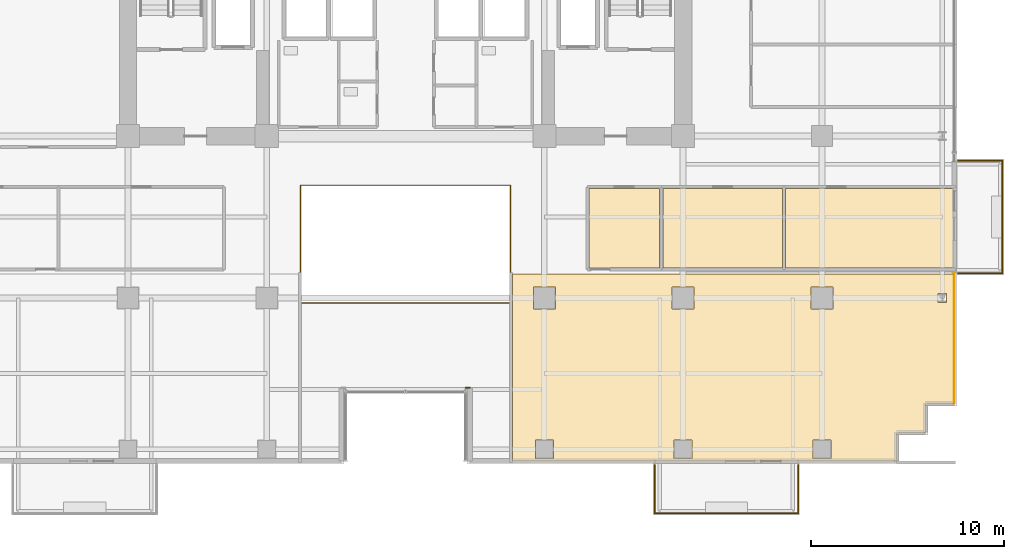
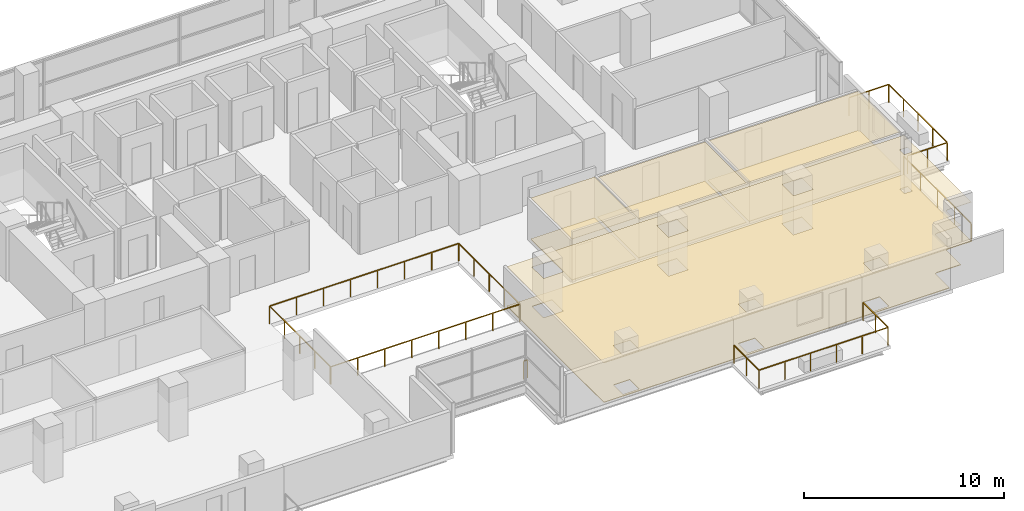
# One storey, part 28 of 30: 8 coverings, 5 railings.
"""IFC4 building model written with IfcOpenShell, lengths in metres."""

import ifcopenshell
import ifcopenshell.guid

model = None  # the IFC model being written
_history = None  # IfcOwnerHistory: only IFC2X3 demands one
_inside = {}  # id of a spatial element -> (the spatial element, [elements in it])
_under = {}  # id of a project, library or spatial element -> (it, [spatial elements below it])
_declared = {}  # id of a project -> (the project, [libraries it declares])
_typed = {}  # id of a type object -> (the type object, [elements of that type])
_made_of = {}  # id of a material, layer set ... -> (it, [elements and type objects made of it])


def new_model(schema):
    """Start an empty IFC model of exactly this schema.

    Asked for "IFC4X3", IfcOpenShell would pick the latest addendum, in which some entities
    have other attributes; the version numbers below select the first issue.
    IFC2X3 requires an IfcOwnerHistory on every rooted entity: one is made here for all.
    """
    global model, _history
    if schema == "IFC4X3":
        model = ifcopenshell.file(schema_version=(4, 3, 0, 0))
    else:
        model = ifcopenshell.file(schema=schema)
    _inside.clear()
    _under.clear()
    _declared.clear()
    _typed.clear()
    _made_of.clear()
    _history = None
    if model.schema == "IFC2X3":
        org = make("IfcOrganization", Name="unknown")
        user = make(
            "IfcPersonAndOrganization",
            ThePerson=make("IfcPerson", FamilyName="unknown"),
            TheOrganization=org,
        )
        app = make(
            "IfcApplication",
            ApplicationDeveloper=org,
            Version="unknown",
            ApplicationFullName="unknown",
            ApplicationIdentifier="unknown",
        )
        _history = make(
            "IfcOwnerHistory",
            OwningUser=user,
            OwningApplication=app,
            ChangeAction="ADDED",
            CreationDate=0,
        )
    return model


def make(cls, **values):
    """One entity of the class cls with the attributes given. An attribute that is None is left unset."""
    return model.create_entity(
        cls, **{name: value for name, value in values.items() if value is not None}
    )


def rooted(cls, **values):
    """An entity with a GlobalId (a new one), such as an element, a storey or a relation."""
    return make(cls, GlobalId=ifcopenshell.guid.new(), OwnerHistory=_history, **values)


def si_unit(unit_type, name, prefix=None):
    """IfcSIUnit, for example si_unit("LENGTHUNIT", "METRE", prefix="MILLI")."""
    return make("IfcSIUnit", UnitType=unit_type, Prefix=prefix, Name=name)


def assignment(units):
    """IfcUnitAssignment: the units of a project."""
    return None if units is None else make("IfcUnitAssignment", Units=units)


def point(xyz):
    """IfcCartesianPoint."""
    return None if xyz is None else make("IfcCartesianPoint", Coordinates=xyz)


def direction(xyz):
    """IfcDirection."""
    return None if xyz is None else make("IfcDirection", DirectionRatios=xyz)


def frame(location, z_axis=None, x_axis=None):
    """IfcAxis2Placement3D, a coordinate frame: its origin and axes. An axis left out is left unset."""
    return make(
        "IfcAxis2Placement3D",
        Location=point(location),
        Axis=direction(z_axis),
        RefDirection=direction(x_axis),
    )


def frame_2d(location, x_axis=None):
    """IfcAxis2Placement2D, a coordinate frame in the plane: its origin and x axis."""
    return make(
        "IfcAxis2Placement2D", Location=point(location), RefDirection=direction(x_axis)
    )


def origin():
    """The frame at (0, 0, 0) with its axes left unset."""
    return frame((0.0, 0.0, 0.0))


def origin_2d():
    """The frame at (0, 0) in the plane with its x axis left unset."""
    return frame_2d((0.0, 0.0))


def place(relative_to, where):
    """IfcLocalPlacement: puts the frame where relative to a parent placement (None: the world)."""
    return make(
        "IfcLocalPlacement", PlacementRelTo=relative_to, RelativePlacement=where
    )


def context(
    kind, dimensions, precision=None, world=None, true_north=None, identifier=None
):
    """IfcGeometricRepresentationContext, for example the 3D "Model" context."""
    return make(
        "IfcGeometricRepresentationContext",
        ContextIdentifier=identifier,
        ContextType=kind,
        CoordinateSpaceDimension=dimensions,
        Precision=precision,
        WorldCoordinateSystem=world,
        TrueNorth=true_north,
    )


def subcontext(parent, identifier, kind, view, scale=None):
    """IfcGeometricRepresentationSubContext, for example "Body" below "Model"."""
    return make(
        "IfcGeometricRepresentationSubContext",
        ContextIdentifier=identifier,
        ContextType=kind,
        ParentContext=parent,
        TargetScale=scale,
        TargetView=view,
    )


def project(units=None, contexts=None):
    """IfcProject with its units and contexts."""
    return rooted(
        "IfcProject",
        Name="project",
        RepresentationContexts=contexts,
        UnitsInContext=assignment(units),
    )


def spatial(cls, under=None, at=None, **own):
    """A site, building, storey or space (cls), placed at a placement, below another one or the project."""
    s = rooted(cls, ObjectPlacement=at, **own)
    if under is not None:
        _under.setdefault(under.id(), (under, []))[1].append(s)
    return s


def polyline(points):
    """IfcPolyline through the points."""
    return make("IfcPolyline", Points=[point(p) for p in points])


def profile(cls, at=None, kind="AREA", **sizes):
    """A parametric profile (cls). Its sizes go by their IFC names, for example OverallWidth=200.0."""
    return make(cls, ProfileType=kind, Position=at, **sizes)


def rectangle(**sizes):
    """IfcRectangleProfileDef."""
    return profile("IfcRectangleProfileDef", **sizes)


def outline(outer, holes=None, kind="AREA"):
    """IfcArbitraryClosedProfileDef: a profile drawn as a closed curve; with holes, ...WithVoids."""
    if holes is None:
        return make("IfcArbitraryClosedProfileDef", ProfileType=kind, OuterCurve=outer)
    return make(
        "IfcArbitraryProfileDefWithVoids",
        ProfileType=kind,
        OuterCurve=outer,
        InnerCurves=holes,
    )


def extrude(swept, where, along, depth):
    """IfcExtrudedAreaSolid: the profile swept, set in the frame where, extruded along a direction by depth."""
    return make(
        "IfcExtrudedAreaSolid",
        SweptArea=swept,
        Position=where,
        ExtrudedDirection=direction(along),
        Depth=depth,
    )


def shape(context_of_items, identifier, shape_type, items):
    """IfcShapeRepresentation: the items that make up one representation, for example the "Body"."""
    return make(
        "IfcShapeRepresentation",
        ContextOfItems=context_of_items,
        RepresentationIdentifier=identifier,
        RepresentationType=shape_type,
        Items=items,
    )


def material(Name=None, Category=None):
    """IfcMaterial."""
    return make("IfcMaterial", Name=Name, Category=Category)


def layer(
    of_material, thickness, ventilated=None, Name=None, Category=None, Priority=None
):
    """IfcMaterialLayer: one layer of a wall or slab, of a material (None: an air gap)."""
    return make(
        "IfcMaterialLayer",
        Material=of_material,
        LayerThickness=thickness,
        IsVentilated=ventilated,
        Name=Name,
        Category=Category,
        Priority=Priority,
    )


def layer_set(layers, Name=None):
    """IfcMaterialLayerSet."""
    return make("IfcMaterialLayerSet", MaterialLayers=layers, LayerSetName=Name)


def made_of(thing, what):
    """Note that an element or type object is made of a material, layer set ...; save() writes the relation."""
    if what is not None:
        _made_of.setdefault(what.id(), (what, []))[1].append(thing)
    return thing


def type_object(cls, material=None, **own):
    """A type object (cls), such as IfcWallType, which elements share."""
    return made_of(rooted(cls, **own), material)


def element(
    cls,
    number,
    at=None,
    inside=None,
    cuts=None,
    type_object=None,
    material=None,
    context=None,
    identifier="Body",
    shape_type=None,
    held_by="IfcProductDefinitionShape",
    body=None,
    shapes=None,
    **own,
):
    """One element of the class cls, such as IfcWall. Its Tag is "e" and its number.

    at: its placement. inside: the storey or other place that contains it. cuts: it is an
    opening in that element (IfcRelVoidsElement). A single representation is given by context,
    identifier, shape_type and body (its items); several are given by shapes. held_by: the class
    of the entity that holds the representations. save() writes the other relations.
    """
    e = rooted(cls, Tag="e%d" % number, ObjectPlacement=at, **own)
    if body is not None:
        shapes = [shape(context, identifier, shape_type, body)]
    if shapes is not None:
        e.Representation = make(held_by, Representations=shapes)
    if inside is not None:
        _inside.setdefault(inside.id(), (inside, []))[1].append(e)
    if cuts is not None:
        rooted(
            "IfcRelVoidsElement", RelatingBuildingElement=cuts, RelatedOpeningElement=e
        )
    if type_object is not None:
        _typed.setdefault(type_object.id(), (type_object, []))[1].append(e)
    return made_of(e, material)


def aggregate(whole, parts):
    """IfcRelAggregates: a whole, such as a stair, and the parts it consists of."""
    return rooted("IfcRelAggregates", RelatingObject=whole, RelatedObjects=parts)


def save(model, path):
    """Write the relations noted so far, then the file.

    IfcRelAggregates (storeys below a building ...), IfcRelContainedInSpatialStructure (elements
    in a storey), IfcRelDefinesByType, IfcRelAssociatesMaterial and IfcRelDeclares: one each for
    every whole, place, type object, material and project.
    """
    for whole, parts in _under.values():
        aggregate(whole, parts)
    for where, things in _inside.values():
        rooted(
            "IfcRelContainedInSpatialStructure",
            RelatedElements=things,
            RelatingStructure=where,
        )
    for kind, things in _typed.values():
        rooted("IfcRelDefinesByType", RelatedObjects=things, RelatingType=kind)
    for what, things in _made_of.values():
        rooted("IfcRelAssociatesMaterial", RelatedObjects=things, RelatingMaterial=what)
    for by, libraries in _declared.values():
        rooted("IfcRelDeclares", RelatingContext=by, RelatedDefinitions=libraries)
    model.write(path)


model = new_model("IFC4")

# Units and contexts
model_context = context("Model", 3, precision=1e-05, world=origin(), true_north=direction((0.0, 1.0)))
body_context = subcontext(model_context, "Body", "Model", "MODEL_VIEW")
ifc_project = project(units=[si_unit("LENGTHUNIT", "METRE"), si_unit("AREAUNIT", "SQUARE_METRE"), si_unit("VOLUMEUNIT", "CUBIC_METRE"), si_unit("PLANEANGLEUNIT", "RADIAN"), si_unit("MASSUNIT", "GRAM", prefix="KILO")], contexts=[model_context])

# Site, building, storey
site_placement = place(None, origin())
site = spatial("IfcSite", under=ifc_project, at=site_placement, CompositionType="ELEMENT")
building_placement = place(site_placement, origin())
building = spatial("IfcBuilding", under=site, at=building_placement, Name="Zarnakvel Exchange Tower", CompositionType="ELEMENT")
storey_placement = place(building_placement, frame((0.0, 0.0, 50.5)))
storey = spatial("IfcBuildingStorey", under=building, at=storey_placement, Name="L13", CompositionType="ELEMENT", Elevation=50.5)

# Coverings
ifc_material_1 = material(Name="Perforated Bronze Acoustic Metal Ceiling", Category="aluminium")
ifc_layer_1 = layer(ifc_material_1, 0.02001953125)
ifc_layer_set_1 = layer_set([ifc_layer_1], Name="Perforated Bronze Acoustic Metal Ceiling")
covering_type_1 = type_object("IfcCoveringType", Name="CLG-01", PredefinedType="CEILING", material=ifc_layer_set_1)
covering_1_placement = place(storey_placement, frame((0.0, 0.0, 2.5048828125)))
element("IfcCovering", 1, at=covering_1_placement, inside=storey, type_object=covering_type_1, Name="L13 Suspended Acoustic Ceiling (Conference Room)", PredefinedType="CEILING", context=body_context, shape_type="SweptSolid", body=[
    extrude(outline(polyline([(9.510009765625, -3.909912109375), (13.18798828125, -3.909912109375), (13.18798828125, -8.0400390625), (9.510009765625, -8.0400390625), (9.510009765625, -3.909912109375)])), origin(), (0.0, 0.0, 1.0), 0.02001953125),
])
covering_2_placement = place(storey_placement, frame((0.0, 0.0, 2.405029296875)))
element("IfcCovering", 2, at=covering_2_placement, inside=storey, type_object=covering_type_1, Name="L13 Suspended Acoustic Ceiling (Executive Suite)", PredefinedType="CEILING", context=body_context, shape_type="SweptSolid", body=[
    extrude(outline(polyline([(13.347900390625, -3.909912109375), (19.5546875, -3.909912109375), (19.5546875, -8.0400390625), (13.347900390625, -8.0400390625), (13.347900390625, -3.909912109375)])), origin(), (0.0, 0.0, 1.0), 0.02001953125),
])
covering_3_placement = place(storey_placement, frame((0.0, 0.0, 2.405029296875)))
element("IfcCovering", 3, at=covering_3_placement, inside=storey, type_object=covering_type_1, Name="L13 Suspended Acoustic Ceiling (Staff Pantry)", PredefinedType="CEILING", context=body_context, shape_type="SweptSolid", body=[
    extrude(outline(polyline([(19.714599609375, -3.909912109375), (28.449951171875, -3.909912109375), (28.449951171875, -8.0400390625), (19.714599609375, -8.0400390625), (19.714599609375, -3.909912109375)])), origin(), (0.0, 0.0, 1.0), 0.02001953125),
])
covering_4_placement = place(storey_placement, frame((0.0, 0.0, 2.405029296875)))
element("IfcCovering", 4, at=covering_4_placement, inside=storey, type_object=covering_type_1, Name="L13 Suspended Acoustic Ceiling (Quant Research Office)", PredefinedType="CEILING", context=body_context, shape_type="SweptSolid", body=[
    extrude(outline(polyline([(5.56005859375, -8.360107421875), (28.449951171875, -8.360107421875), (28.449951171875, -15.080078125), (27.10009765625, -15.080078125), (27.088134765625, -15.08056640625), (27.07666015625, -15.082275390625), (27.065185546875, -15.085205078125), (27.05419921875, -15.089111328125), (27.04345703125, -15.09423828125), (27.033447265625, -15.100341796875), (27.02392578125, -15.107177734375), (27.01513671875, -15.115234375), (27.00732421875, -15.123779296875), (27.000244140625, -15.13330078125), (26.994140625, -15.143310546875), (26.989013671875, -15.154052734375), (26.985107421875, -15.165283203125), (26.982421875, -15.176513671875), (26.98046875, -15.188232421875), (26.97998046875, -15.199951171875), (26.97998046875, -16.580078125), (25.60009765625, -16.580078125), (25.588134765625, -16.58056640625), (25.57666015625, -16.582275390625), (25.565185546875, -16.585205078125), (25.55419921875, -16.589111328125), (25.54345703125, -16.59423828125), (25.533447265625, -16.600341796875), (25.52392578125, -16.607177734375), (25.51513671875, -16.615234375), (25.50732421875, -16.623779296875), (25.500244140625, -16.63330078125), (25.494140625, -16.643310546875), (25.489013671875, -16.654052734375), (25.485107421875, -16.665283203125), (25.482421875, -16.676513671875), (25.48046875, -16.688232421875), (25.47998046875, -16.699951171875), (25.47998046875, -18.050048828125), (5.56005859375, -18.050048828125), (5.56005859375, -8.360107421875)]), holes=[polyline([(28.075927734375, -9.83251953125), (28.075927734375, -9.367431640625), (27.6240234375, -9.367431640625), (27.6240234375, -9.83251953125), (28.075927734375, -9.83251953125)]), polyline([(22.169921875, -10.169921875), (22.169921875, -9.030029296875), (21.030029296875, -9.030029296875), (21.030029296875, -10.169921875), (22.169921875, -10.169921875)]), polyline([(22.070068359375, -17.919921875), (22.070068359375, -16.97998046875), (21.1298828125, -16.97998046875), (21.1298828125, -17.919921875), (22.070068359375, -17.919921875)]), polyline([(13.830078125, -10.169921875), (14.969970703125, -10.169921875), (14.969970703125, -9.030029296875), (13.830078125, -9.030029296875), (13.830078125, -10.169921875)]), polyline([(14.8701171875, -17.919921875), (14.8701171875, -16.97998046875), (13.929931640625, -16.97998046875), (13.929931640625, -17.919921875), (14.8701171875, -17.919921875)]), polyline([(6.6298828125, -10.169921875), (7.77001953125, -10.169921875), (7.77001953125, -9.030029296875), (6.6298828125, -9.030029296875), (6.6298828125, -10.169921875)]), polyline([(7.669921875, -17.919921875), (7.669921875, -16.97998046875), (6.72998046875, -16.97998046875), (6.72998046875, -17.919921875), (7.669921875, -17.919921875)])]), origin(), (0.0, 0.0, 1.0), 0.02001953125),
])
ifc_material_2 = material(Name="Heavy-Duty Raised Access Floor Panel", Category="steel")
ifc_layer_2 = layer(ifc_material_2, 0.034912109375)
ifc_layer_set_2 = layer_set([ifc_layer_2], Name="Heavy-Duty Raised Access Floor Panel")
covering_type_2 = type_object("IfcCoveringType", Name="FLR-02", PredefinedType="FLOORING", material=ifc_layer_set_2)
covering_5_placement = place(storey_placement, origin())
element("IfcCovering", 5, at=covering_5_placement, inside=storey, type_object=covering_type_2, Name="L13 Floor Finish (Conference Room)", PredefinedType="FLOORING", context=body_context, shape_type="SweptSolid", body=[
    extrude(outline(polyline([(9.510009765625, -3.909912109375), (13.18798828125, -3.909912109375), (13.18798828125, -8.0400390625), (9.510009765625, -8.0400390625), (9.510009765625, -3.909912109375)])), origin(), (0.0, 0.0, 1.0), 0.034912109375),
])
covering_6_placement = place(storey_placement, origin())
element("IfcCovering", 6, at=covering_6_placement, inside=storey, type_object=covering_type_2, Name="L13 Floor Finish (Executive Suite)", PredefinedType="FLOORING", context=body_context, shape_type="SweptSolid", body=[
    extrude(outline(polyline([(13.347900390625, -3.909912109375), (19.5546875, -3.909912109375), (19.5546875, -8.0400390625), (13.347900390625, -8.0400390625), (13.347900390625, -3.909912109375)])), origin(), (0.0, 0.0, 1.0), 0.034912109375),
])
covering_7_placement = place(storey_placement, origin())
element("IfcCovering", 7, at=covering_7_placement, inside=storey, type_object=covering_type_2, Name="L13 Floor Finish (Staff Pantry)", PredefinedType="FLOORING", context=body_context, shape_type="SweptSolid", body=[
    extrude(outline(polyline([(19.714599609375, -3.909912109375), (28.449951171875, -3.909912109375), (28.449951171875, -8.0400390625), (19.714599609375, -8.0400390625), (19.714599609375, -3.909912109375)])), origin(), (0.0, 0.0, 1.0), 0.034912109375),
])
covering_8_placement = place(storey_placement, origin())
element("IfcCovering", 8, at=covering_8_placement, inside=storey, type_object=covering_type_2, Name="L13 Floor Finish (Quant Research Office)", PredefinedType="FLOORING", context=body_context, shape_type="SweptSolid", body=[
    extrude(outline(polyline([(5.56005859375, -8.360107421875), (28.449951171875, -8.360107421875), (28.449951171875, -15.080078125), (27.10009765625, -15.080078125), (27.088134765625, -15.08056640625), (27.07666015625, -15.082275390625), (27.065185546875, -15.085205078125), (27.05419921875, -15.089111328125), (27.04345703125, -15.09423828125), (27.033447265625, -15.100341796875), (27.02392578125, -15.107177734375), (27.01513671875, -15.115234375), (27.00732421875, -15.123779296875), (27.000244140625, -15.13330078125), (26.994140625, -15.143310546875), (26.989013671875, -15.154052734375), (26.985107421875, -15.165283203125), (26.982421875, -15.176513671875), (26.98046875, -15.188232421875), (26.97998046875, -15.199951171875), (26.97998046875, -16.580078125), (25.60009765625, -16.580078125), (25.588134765625, -16.58056640625), (25.57666015625, -16.582275390625), (25.565185546875, -16.585205078125), (25.55419921875, -16.589111328125), (25.54345703125, -16.59423828125), (25.533447265625, -16.600341796875), (25.52392578125, -16.607177734375), (25.51513671875, -16.615234375), (25.50732421875, -16.623779296875), (25.500244140625, -16.63330078125), (25.494140625, -16.643310546875), (25.489013671875, -16.654052734375), (25.485107421875, -16.665283203125), (25.482421875, -16.676513671875), (25.48046875, -16.688232421875), (25.47998046875, -16.699951171875), (25.47998046875, -18.050048828125), (5.56005859375, -18.050048828125), (5.56005859375, -8.360107421875)]), holes=[polyline([(28.075927734375, -9.83251953125), (28.075927734375, -9.367431640625), (27.6240234375, -9.367431640625), (27.6240234375, -9.83251953125), (28.075927734375, -9.83251953125)]), polyline([(22.169921875, -10.169921875), (22.169921875, -9.030029296875), (21.030029296875, -9.030029296875), (21.030029296875, -10.169921875), (22.169921875, -10.169921875)]), polyline([(22.070068359375, -17.919921875), (22.070068359375, -16.97998046875), (21.1298828125, -16.97998046875), (21.1298828125, -17.919921875), (22.070068359375, -17.919921875)]), polyline([(13.830078125, -10.169921875), (14.969970703125, -10.169921875), (14.969970703125, -9.030029296875), (13.830078125, -9.030029296875), (13.830078125, -10.169921875)]), polyline([(14.8701171875, -17.919921875), (14.8701171875, -16.97998046875), (13.929931640625, -16.97998046875), (13.929931640625, -17.919921875), (14.8701171875, -17.919921875)]), polyline([(6.6298828125, -10.169921875), (7.77001953125, -10.169921875), (7.77001953125, -9.030029296875), (6.6298828125, -9.030029296875), (6.6298828125, -10.169921875)]), polyline([(7.669921875, -17.919921875), (7.669921875, -16.97998046875), (6.72998046875, -16.97998046875), (6.72998046875, -17.919921875), (7.669921875, -17.919921875)])]), origin(), (0.0, 0.0, 1.0), 0.034912109375),
])

# Railings
ifc_material_3 = material(Name="Architectural Bronze Anodised Aluminium", Category="aluminium")
railing_type_1 = type_object("IfcRailingType", Name="GR-02", PredefinedType="GUARDRAIL", material=ifc_material_3)
railing_1_placement = place(storey_placement, frame((12.929931640625, -18.280029296875, -0.034912109375)))
element("IfcRailing", 9, at=railing_1_placement, inside=storey, type_object=railing_type_1, Name="L13 Balcony Guardrail BAL-L13-SE", PredefinedType="GUARDRAIL", context=body_context, shape_type="SweptSolid", body=[
    extrude(rectangle(XDim=0.048095703125, YDim=0.048095703125, at=origin_2d()), frame((0.0, 0.0, 1.09619140625), z_axis=(0.0, -1.0, 0.0), x_axis=(1.0, 0.0, 0.0)), (0.0, 0.0, 1.0), 2.489990234375),
    extrude(rectangle(XDim=0.048095703125, YDim=0.048095703125, at=origin_2d()), frame((0.0, -2.489990234375, 1.09619140625), z_axis=(1.0, 0.0, 0.0), x_axis=(0.0, 1.0, 0.0)), (0.0, 0.0, 1.0), 7.440185546875),
    extrude(rectangle(XDim=0.048095703125, YDim=0.048095703125, at=origin_2d()), frame((7.440185546875, -2.489990234375, 1.09619140625), z_axis=(0.0, 1.0, 0.0), x_axis=(-1.0, 0.0, 0.0)), (0.0, 0.0, 1.0), 2.489990234375),
    extrude(rectangle(XDim=0.0419921875, YDim=0.0419921875, at=origin_2d()), origin(), (0.0, 0.0, 1.0), 1.072021484375),
    extrude(rectangle(XDim=0.0419921875, YDim=0.0419921875, at=origin_2d()), frame((0.0, -1.2451171875, 0.0)), (0.0, 0.0, 1.0), 1.072021484375),
    extrude(rectangle(XDim=0.0419921875, YDim=0.0419921875, at=origin_2d()), frame((0.0, -2.489990234375, 0.0)), (0.0, 0.0, 1.0), 1.072021484375),
    extrude(rectangle(XDim=0.0419921875, YDim=0.0419921875, at=origin_2d()), frame((1.488037109375, -2.489990234375, 0.0)), (0.0, 0.0, 1.0), 1.072021484375),
    extrude(rectangle(XDim=0.0419921875, YDim=0.0419921875, at=origin_2d()), frame((2.97607421875, -2.489990234375, 0.0)), (0.0, 0.0, 1.0), 1.072021484375),
    extrude(rectangle(XDim=0.0419921875, YDim=0.0419921875, at=origin_2d()), frame((4.464111328125, -2.489990234375, 0.0)), (0.0, 0.0, 1.0), 1.072021484375),
    extrude(rectangle(XDim=0.0419921875, YDim=0.0419921875, at=origin_2d()), frame((5.9521484375, -2.489990234375, 0.0)), (0.0, 0.0, 1.0), 1.072021484375),
    extrude(rectangle(XDim=0.0419921875, YDim=0.0419921875, at=origin_2d()), frame((7.440185546875, -2.489990234375, 0.0)), (0.0, 0.0, 1.0), 1.072021484375),
    extrude(rectangle(XDim=0.0419921875, YDim=0.0419921875, at=origin_2d()), frame((7.440185546875, -1.2451171875, 0.0)), (0.0, 0.0, 1.0), 1.072021484375),
    extrude(rectangle(XDim=0.0419921875, YDim=0.0419921875, at=origin_2d()), frame((7.440185546875, 0.0, 0.0)), (0.0, 0.0, 1.0), 1.072021484375),
])
railing_2_placement = place(storey_placement, frame((28.679931640625, -8.320068359375, -0.034912109375)))
element("IfcRailing", 10, at=railing_2_placement, inside=storey, type_object=railing_type_1, Name="L13 Balcony Guardrail BAL-L13-E", PredefinedType="GUARDRAIL", context=body_context, shape_type="SweptSolid", body=[
    extrude(rectangle(XDim=0.048095703125, YDim=0.048095703125, at=origin_2d()), frame((0.0, 0.0, 1.09619140625), z_axis=(1.0, 0.0, 0.0), x_axis=(0.0, 1.0, 0.0)), (0.0, 0.0, 1.0), 2.2900390625),
    extrude(rectangle(XDim=0.048095703125, YDim=0.048095703125, at=origin_2d()), frame((2.2900390625, 0.0, 1.09619140625), z_axis=(0.0, 1.0, 0.0), x_axis=(-1.0, 0.0, 0.0)), (0.0, 0.0, 1.0), 5.840087890625),
    extrude(rectangle(XDim=0.048095703125, YDim=0.048095703125, at=origin_2d()), frame((2.2900390625, 5.840087890625, 1.09619140625), z_axis=(-1.0, 0.0, 0.0), x_axis=(0.0, -1.0, 0.0)), (0.0, 0.0, 1.0), 2.2900390625),
    extrude(rectangle(XDim=0.0419921875, YDim=0.0419921875, at=origin_2d()), origin(), (0.0, 0.0, 1.0), 1.072021484375),
    extrude(rectangle(XDim=0.0419921875, YDim=0.0419921875, at=origin_2d()), frame((1.14501953125, 0.0, 0.0)), (0.0, 0.0, 1.0), 1.072021484375),
    extrude(rectangle(XDim=0.0419921875, YDim=0.0419921875, at=origin_2d()), frame((2.2900390625, 0.0, 0.0)), (0.0, 0.0, 1.0), 1.072021484375),
    extrude(rectangle(XDim=0.0419921875, YDim=0.0419921875, at=origin_2d()), frame((2.2900390625, 1.4599609375, 0.0)), (0.0, 0.0, 1.0), 1.072021484375),
    extrude(rectangle(XDim=0.0419921875, YDim=0.0419921875, at=origin_2d()), frame((2.2900390625, 2.919921875, 0.0)), (0.0, 0.0, 1.0), 1.072021484375),
    extrude(rectangle(XDim=0.0419921875, YDim=0.0419921875, at=origin_2d()), frame((2.2900390625, 4.380126953125, 0.0)), (0.0, 0.0, 1.0), 1.072021484375),
    extrude(rectangle(XDim=0.0419921875, YDim=0.0419921875, at=origin_2d()), frame((2.2900390625, 5.840087890625, 0.0)), (0.0, 0.0, 1.0), 1.072021484375),
    extrude(rectangle(XDim=0.0419921875, YDim=0.0419921875, at=origin_2d()), frame((1.14501953125, 5.840087890625, 0.0)), (0.0, 0.0, 1.0), 1.072021484375),
    extrude(rectangle(XDim=0.0419921875, YDim=0.0419921875, at=origin_2d()), frame((0.0, 5.840087890625, 0.0)), (0.0, 0.0, 1.0), 1.072021484375),
])
railing_3_placement = place(storey_placement, frame((28.4599609375, -8.300048828125, 0.0)))
element("IfcRailing", 11, at=railing_3_placement, inside=storey, type_object=railing_type_1, Name="L13 Corner Spandrel Balustrade #10", PredefinedType="GUARDRAIL", context=body_context, shape_type="SweptSolid", body=[
    extrude(rectangle(XDim=0.048095703125, YDim=0.048095703125, at=origin_2d()), frame((0.0, 0.0, 1.09619140625), z_axis=(0.0, -1.0, 0.0), x_axis=(1.0, 0.0, 0.0)), (0.0, 0.0, 1.0), 6.760009765625),
    extrude(rectangle(XDim=0.0419921875, YDim=0.0419921875, at=origin_2d()), origin(), (0.0, 0.0, 1.0), 1.072021484375),
    extrude(rectangle(XDim=0.0419921875, YDim=0.0419921875, at=origin_2d()), frame((0.0, -1.68994140625, 0.0)), (0.0, 0.0, 1.0), 1.072021484375),
    extrude(rectangle(XDim=0.0419921875, YDim=0.0419921875, at=origin_2d()), frame((0.0, -3.3798828125, 0.0)), (0.0, 0.0, 1.0), 1.072021484375),
    extrude(rectangle(XDim=0.0419921875, YDim=0.0419921875, at=origin_2d()), frame((0.0, -5.070068359375, 0.0)), (0.0, 0.0, 1.0), 1.072021484375),
    extrude(rectangle(XDim=0.0419921875, YDim=0.0419921875, at=origin_2d()), frame((0.0, -6.760009765625, 0.0)), (0.0, 0.0, 1.0), 1.072021484375),
])
railing_4_placement = place(storey_placement, frame((3.340087890625, -14.260009765625, 0.0)))
element("IfcRailing", 12, at=railing_4_placement, inside=storey, type_object=railing_type_1, Name="L13 Corner Spandrel Balustrade #18", PredefinedType="GUARDRAIL", context=body_context, shape_type="SweptSolid", body=[
    extrude(rectangle(XDim=0.048095703125, YDim=0.048095703125, at=origin_2d()), frame((0.0, 0.0, 1.09619140625), z_axis=(-1.0, 0.0, 0.0), x_axis=(0.0, -1.0, 0.0)), (0.0, 0.0, 1.0), 0.219970703125),
    extrude(rectangle(XDim=0.0419921875, YDim=0.0419921875, at=origin_2d()), origin(), (0.0, 0.0, 1.0), 1.072021484375),
    extrude(rectangle(XDim=0.0419921875, YDim=0.0419921875, at=origin_2d()), frame((-0.219970703125, 0.0, 0.0)), (0.0, 0.0, 1.0), 1.072021484375),
])
railing_type_2 = type_object("IfcRailingType", Name="GR-03", PredefinedType="GUARDRAIL", material=ifc_material_3)
railing_5_placement = place(storey_placement, frame((-5.449951171875, -9.85009765625, 0.0)))
element("IfcRailing", 13, at=railing_5_placement, inside=storey, type_object=railing_type_2, Name="L13 Atrium Void Perimeter Balustrade", PredefinedType="GUARDRAIL", context=body_context, shape_type="SweptSolid", body=[
    extrude(rectangle(XDim=0.048095703125, YDim=0.048095703125, at=origin_2d()), frame((0.0, 0.0, 1.076171875), z_axis=(1.0, 0.0, 0.0), x_axis=(0.0, 1.0, 0.0)), (0.0, 0.0, 1.0), 10.89990234375),
    extrude(rectangle(XDim=0.048095703125, YDim=0.048095703125, at=origin_2d()), frame((10.89990234375, 0.0, 1.076171875), z_axis=(0.0, 1.0, 0.0), x_axis=(-1.0, 0.0, 0.0)), (0.0, 0.0, 1.0), 6.10009765625),
    extrude(rectangle(XDim=0.048095703125, YDim=0.048095703125, at=origin_2d()), frame((10.89990234375, 6.10009765625, 1.076171875), z_axis=(-1.0, 0.0, 0.0), x_axis=(0.0, -1.0, 0.0)), (0.0, 0.0, 1.0), 10.89990234375),
    extrude(rectangle(XDim=0.048095703125, YDim=0.048095703125, at=origin_2d()), frame((0.0, 6.10009765625, 1.076171875), z_axis=(0.0, -1.0, 0.0), x_axis=(1.0, 0.0, 0.0)), (0.0, 0.0, 1.0), 6.02001953125),
    extrude(rectangle(XDim=0.0419921875, YDim=0.0419921875, at=origin_2d()), origin(), (0.0, 0.0, 1.0), 1.052001953125),
    extrude(rectangle(XDim=0.0419921875, YDim=0.0419921875, at=origin_2d()), frame((1.55712890625, 0.0, 0.0)), (0.0, 0.0, 1.0), 1.052001953125),
    extrude(rectangle(XDim=0.0419921875, YDim=0.0419921875, at=origin_2d()), frame((3.1142578125, 0.0, 0.0)), (0.0, 0.0, 1.0), 1.052001953125),
    extrude(rectangle(XDim=0.0419921875, YDim=0.0419921875, at=origin_2d()), frame((4.67138671875, 0.0, 0.0)), (0.0, 0.0, 1.0), 1.052001953125),
    extrude(rectangle(XDim=0.0419921875, YDim=0.0419921875, at=origin_2d()), frame((6.228515625, 0.0, 0.0)), (0.0, 0.0, 1.0), 1.052001953125),
    extrude(rectangle(XDim=0.0419921875, YDim=0.0419921875, at=origin_2d()), frame((7.78564453125, 0.0, 0.0)), (0.0, 0.0, 1.0), 1.052001953125),
    extrude(rectangle(XDim=0.0419921875, YDim=0.0419921875, at=origin_2d()), frame((9.3427734375, 0.0, 0.0)), (0.0, 0.0, 1.0), 1.052001953125),
    extrude(rectangle(XDim=0.0419921875, YDim=0.0419921875, at=origin_2d()), frame((10.89990234375, 0.0, 0.0)), (0.0, 0.0, 1.0), 1.052001953125),
    extrude(rectangle(XDim=0.0419921875, YDim=0.0419921875, at=origin_2d()), frame((10.89990234375, 1.52490234375, 0.0)), (0.0, 0.0, 1.0), 1.052001953125),
    extrude(rectangle(XDim=0.0419921875, YDim=0.0419921875, at=origin_2d()), frame((10.89990234375, 3.050048828125, 0.0)), (0.0, 0.0, 1.0), 1.052001953125),
    extrude(rectangle(XDim=0.0419921875, YDim=0.0419921875, at=origin_2d()), frame((10.89990234375, 4.5751953125, 0.0)), (0.0, 0.0, 1.0), 1.052001953125),
    extrude(rectangle(XDim=0.0419921875, YDim=0.0419921875, at=origin_2d()), frame((10.89990234375, 6.10009765625, 0.0)), (0.0, 0.0, 1.0), 1.052001953125),
    extrude(rectangle(XDim=0.0419921875, YDim=0.0419921875, at=origin_2d()), frame((9.3427734375, 6.10009765625, 0.0)), (0.0, 0.0, 1.0), 1.052001953125),
    extrude(rectangle(XDim=0.0419921875, YDim=0.0419921875, at=origin_2d()), frame((7.78564453125, 6.10009765625, 0.0)), (0.0, 0.0, 1.0), 1.052001953125),
    extrude(rectangle(XDim=0.0419921875, YDim=0.0419921875, at=origin_2d()), frame((6.228515625, 6.10009765625, 0.0)), (0.0, 0.0, 1.0), 1.052001953125),
    extrude(rectangle(XDim=0.0419921875, YDim=0.0419921875, at=origin_2d()), frame((4.67138671875, 6.10009765625, 0.0)), (0.0, 0.0, 1.0), 1.052001953125),
    extrude(rectangle(XDim=0.0419921875, YDim=0.0419921875, at=origin_2d()), frame((3.1142578125, 6.10009765625, 0.0)), (0.0, 0.0, 1.0), 1.052001953125),
    extrude(rectangle(XDim=0.0419921875, YDim=0.0419921875, at=origin_2d()), frame((1.55712890625, 6.10009765625, 0.0)), (0.0, 0.0, 1.0), 1.052001953125),
    extrude(rectangle(XDim=0.0419921875, YDim=0.0419921875, at=origin_2d()), frame((0.0, 6.10009765625, 0.0)), (0.0, 0.0, 1.0), 1.052001953125),
    extrude(rectangle(XDim=0.0419921875, YDim=0.0419921875, at=origin_2d()), frame((0.0, 4.59521484375, 0.0)), (0.0, 0.0, 1.0), 1.052001953125),
    extrude(rectangle(XDim=0.0419921875, YDim=0.0419921875, at=origin_2d()), frame((0.0, 3.090087890625, 0.0)), (0.0, 0.0, 1.0), 1.052001953125),
    extrude(rectangle(XDim=0.0419921875, YDim=0.0419921875, at=origin_2d()), frame((0.0, 1.5849609375, 0.0)), (0.0, 0.0, 1.0), 1.052001953125),
    extrude(rectangle(XDim=0.0419921875, YDim=0.0419921875, at=origin_2d()), frame((0.0, 0.080078125, 0.0)), (0.0, 0.0, 1.0), 1.052001953125),
])

save(model, "model.ifc")
